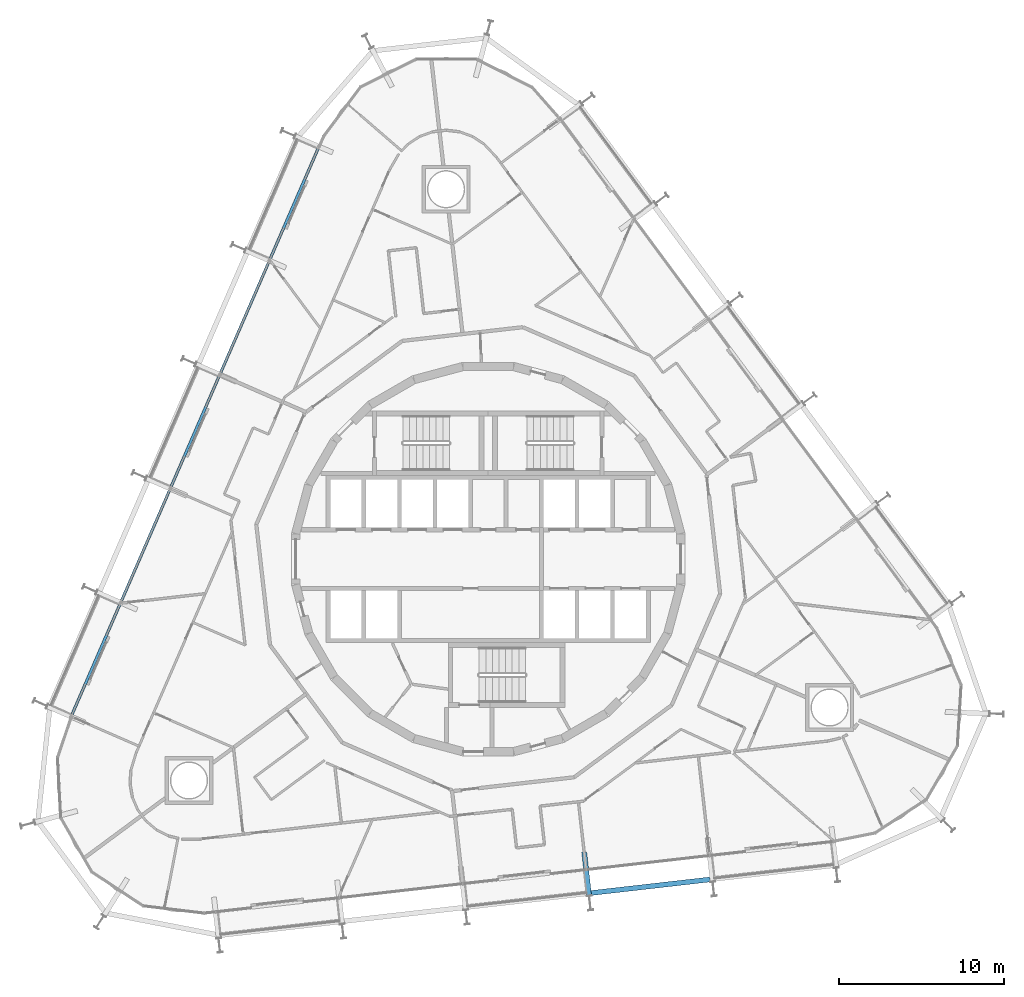
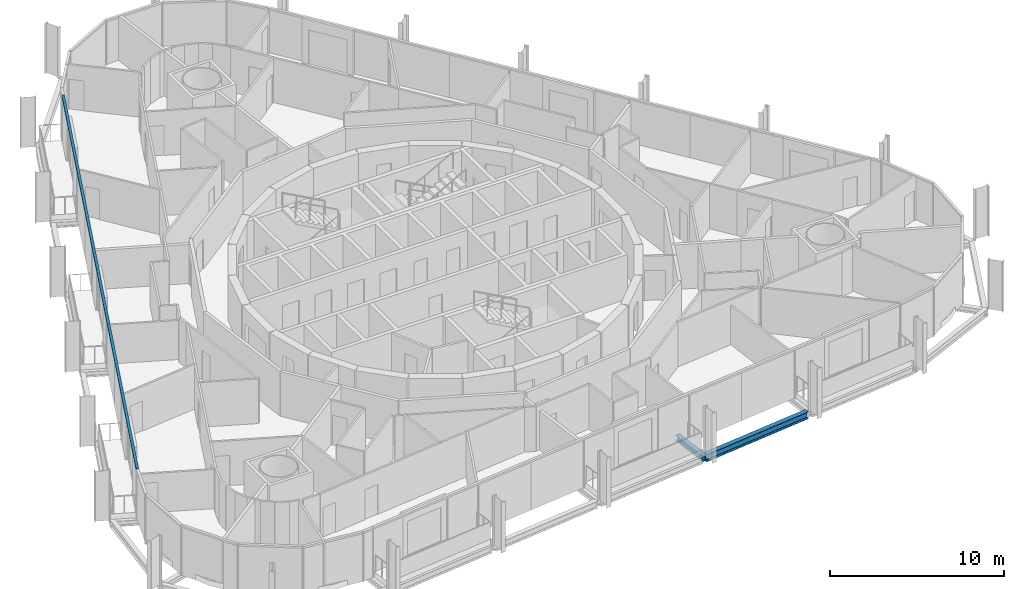
# One storey, part 6 of 24: 2 beams, 1 member, 1 element without a shape of its own.
"""IFC4 building model written with IfcOpenShell, lengths in metres."""

import ifcopenshell
import ifcopenshell.guid

model = None  # the IFC model being written
_history = None  # IfcOwnerHistory: only IFC2X3 demands one
_inside = {}  # id of a spatial element -> (the spatial element, [elements in it])
_under = {}  # id of a project, library or spatial element -> (it, [spatial elements below it])
_declared = {}  # id of a project -> (the project, [libraries it declares])
_typed = {}  # id of a type object -> (the type object, [elements of that type])
_made_of = {}  # id of a material, layer set ... -> (it, [elements and type objects made of it])


def new_model(schema):
    """Start an empty IFC model of exactly this schema.

    Asked for "IFC4X3", IfcOpenShell would pick the latest addendum, in which some entities
    have other attributes; the version numbers below select the first issue.
    IFC2X3 requires an IfcOwnerHistory on every rooted entity: one is made here for all.
    """
    global model, _history
    if schema == "IFC4X3":
        model = ifcopenshell.file(schema_version=(4, 3, 0, 0))
    else:
        model = ifcopenshell.file(schema=schema)
    _inside.clear()
    _under.clear()
    _declared.clear()
    _typed.clear()
    _made_of.clear()
    _history = None
    if model.schema == "IFC2X3":
        org = make("IfcOrganization", Name="unknown")
        user = make(
            "IfcPersonAndOrganization",
            ThePerson=make("IfcPerson", FamilyName="unknown"),
            TheOrganization=org,
        )
        app = make(
            "IfcApplication",
            ApplicationDeveloper=org,
            Version="unknown",
            ApplicationFullName="unknown",
            ApplicationIdentifier="unknown",
        )
        _history = make(
            "IfcOwnerHistory",
            OwningUser=user,
            OwningApplication=app,
            ChangeAction="ADDED",
            CreationDate=0,
        )
    return model


def make(cls, **values):
    """One entity of the class cls with the attributes given. An attribute that is None is left unset."""
    return model.create_entity(
        cls, **{name: value for name, value in values.items() if value is not None}
    )


def rooted(cls, **values):
    """An entity with a GlobalId (a new one), such as an element, a storey or a relation."""
    return make(cls, GlobalId=ifcopenshell.guid.new(), OwnerHistory=_history, **values)


def si_unit(unit_type, name, prefix=None):
    """IfcSIUnit, for example si_unit("LENGTHUNIT", "METRE", prefix="MILLI")."""
    return make("IfcSIUnit", UnitType=unit_type, Prefix=prefix, Name=name)


def assignment(units):
    """IfcUnitAssignment: the units of a project."""
    return None if units is None else make("IfcUnitAssignment", Units=units)


def point(xyz):
    """IfcCartesianPoint."""
    return None if xyz is None else make("IfcCartesianPoint", Coordinates=xyz)


def direction(xyz):
    """IfcDirection."""
    return None if xyz is None else make("IfcDirection", DirectionRatios=xyz)


def frame(location, z_axis=None, x_axis=None):
    """IfcAxis2Placement3D, a coordinate frame: its origin and axes. An axis left out is left unset."""
    return make(
        "IfcAxis2Placement3D",
        Location=point(location),
        Axis=direction(z_axis),
        RefDirection=direction(x_axis),
    )


def frame_2d(location, x_axis=None):
    """IfcAxis2Placement2D, a coordinate frame in the plane: its origin and x axis."""
    return make(
        "IfcAxis2Placement2D", Location=point(location), RefDirection=direction(x_axis)
    )


def origin():
    """The frame at (0, 0, 0) with its axes left unset."""
    return frame((0.0, 0.0, 0.0))


def origin_2d():
    """The frame at (0, 0) in the plane with its x axis left unset."""
    return frame_2d((0.0, 0.0))


def place(relative_to, where):
    """IfcLocalPlacement: puts the frame where relative to a parent placement (None: the world)."""
    return make(
        "IfcLocalPlacement", PlacementRelTo=relative_to, RelativePlacement=where
    )


def context(
    kind, dimensions, precision=None, world=None, true_north=None, identifier=None
):
    """IfcGeometricRepresentationContext, for example the 3D "Model" context."""
    return make(
        "IfcGeometricRepresentationContext",
        ContextIdentifier=identifier,
        ContextType=kind,
        CoordinateSpaceDimension=dimensions,
        Precision=precision,
        WorldCoordinateSystem=world,
        TrueNorth=true_north,
    )


def subcontext(parent, identifier, kind, view, scale=None):
    """IfcGeometricRepresentationSubContext, for example "Body" below "Model"."""
    return make(
        "IfcGeometricRepresentationSubContext",
        ContextIdentifier=identifier,
        ContextType=kind,
        ParentContext=parent,
        TargetScale=scale,
        TargetView=view,
    )


def project(units=None, contexts=None):
    """IfcProject with its units and contexts."""
    return rooted(
        "IfcProject",
        Name="project",
        RepresentationContexts=contexts,
        UnitsInContext=assignment(units),
    )


def spatial(cls, under=None, at=None, **own):
    """A site, building, storey or space (cls), placed at a placement, below another one or the project."""
    s = rooted(cls, ObjectPlacement=at, **own)
    if under is not None:
        _under.setdefault(under.id(), (under, []))[1].append(s)
    return s


def profile(cls, at=None, kind="AREA", **sizes):
    """A parametric profile (cls). Its sizes go by their IFC names, for example OverallWidth=200.0."""
    return make(cls, ProfileType=kind, Position=at, **sizes)


def rectangle(**sizes):
    """IfcRectangleProfileDef."""
    return profile("IfcRectangleProfileDef", **sizes)


def i_section(**sizes):
    """IfcIShapeProfileDef."""
    return profile("IfcIShapeProfileDef", **sizes)


def extrude(swept, where, along, depth):
    """IfcExtrudedAreaSolid: the profile swept, set in the frame where, extruded along a direction by depth."""
    return make(
        "IfcExtrudedAreaSolid",
        SweptArea=swept,
        Position=where,
        ExtrudedDirection=direction(along),
        Depth=depth,
    )


def shape(context_of_items, identifier, shape_type, items):
    """IfcShapeRepresentation: the items that make up one representation, for example the "Body"."""
    return make(
        "IfcShapeRepresentation",
        ContextOfItems=context_of_items,
        RepresentationIdentifier=identifier,
        RepresentationType=shape_type,
        Items=items,
    )


def material(Name=None, Category=None):
    """IfcMaterial."""
    return make("IfcMaterial", Name=Name, Category=Category)


def layer(
    of_material, thickness, ventilated=None, Name=None, Category=None, Priority=None
):
    """IfcMaterialLayer: one layer of a wall or slab, of a material (None: an air gap)."""
    return make(
        "IfcMaterialLayer",
        Material=of_material,
        LayerThickness=thickness,
        IsVentilated=ventilated,
        Name=Name,
        Category=Category,
        Priority=Priority,
    )


def layer_set(layers, Name=None):
    """IfcMaterialLayerSet."""
    return make("IfcMaterialLayerSet", MaterialLayers=layers, LayerSetName=Name)


def material_profile(
    of_material, cross_section, Name=None, Category=None, Priority=None
):
    """IfcMaterialProfile: a cross section and its material."""
    return make(
        "IfcMaterialProfile",
        Name=Name,
        Material=of_material,
        Profile=cross_section,
        Priority=Priority,
        Category=Category,
    )


def profile_set(profiles, Name=None, composite=None):
    """IfcMaterialProfileSet."""
    return make(
        "IfcMaterialProfileSet",
        Name=Name,
        MaterialProfiles=profiles,
        CompositeProfile=composite,
    )


def made_of(thing, what):
    """Note that an element or type object is made of a material, layer set ...; save() writes the relation."""
    if what is not None:
        _made_of.setdefault(what.id(), (what, []))[1].append(thing)
    return thing


def type_object(cls, material=None, **own):
    """A type object (cls), such as IfcWallType, which elements share."""
    return made_of(rooted(cls, **own), material)


def element(
    cls,
    number,
    at=None,
    inside=None,
    cuts=None,
    type_object=None,
    material=None,
    context=None,
    identifier="Body",
    shape_type=None,
    held_by="IfcProductDefinitionShape",
    body=None,
    shapes=None,
    **own,
):
    """One element of the class cls, such as IfcWall. Its Tag is "e" and its number.

    at: its placement. inside: the storey or other place that contains it. cuts: it is an
    opening in that element (IfcRelVoidsElement). A single representation is given by context,
    identifier, shape_type and body (its items); several are given by shapes. held_by: the class
    of the entity that holds the representations. save() writes the other relations.
    """
    e = rooted(cls, Tag="e%d" % number, ObjectPlacement=at, **own)
    if body is not None:
        shapes = [shape(context, identifier, shape_type, body)]
    if shapes is not None:
        e.Representation = make(held_by, Representations=shapes)
    if inside is not None:
        _inside.setdefault(inside.id(), (inside, []))[1].append(e)
    if cuts is not None:
        rooted(
            "IfcRelVoidsElement", RelatingBuildingElement=cuts, RelatedOpeningElement=e
        )
    if type_object is not None:
        _typed.setdefault(type_object.id(), (type_object, []))[1].append(e)
    return made_of(e, material)


def aggregate(whole, parts):
    """IfcRelAggregates: a whole, such as a stair, and the parts it consists of."""
    return rooted("IfcRelAggregates", RelatingObject=whole, RelatedObjects=parts)


def save(model, path):
    """Write the relations noted so far, then the file.

    IfcRelAggregates (storeys below a building ...), IfcRelContainedInSpatialStructure (elements
    in a storey), IfcRelDefinesByType, IfcRelAssociatesMaterial and IfcRelDeclares: one each for
    every whole, place, type object, material and project.
    """
    for whole, parts in _under.values():
        aggregate(whole, parts)
    for where, things in _inside.values():
        rooted(
            "IfcRelContainedInSpatialStructure",
            RelatedElements=things,
            RelatingStructure=where,
        )
    for kind, things in _typed.values():
        rooted("IfcRelDefinesByType", RelatedObjects=things, RelatingType=kind)
    for what, things in _made_of.values():
        rooted("IfcRelAssociatesMaterial", RelatedObjects=things, RelatingMaterial=what)
    for by, libraries in _declared.values():
        rooted("IfcRelDeclares", RelatingContext=by, RelatedDefinitions=libraries)
    model.write(path)


model = new_model("IFC4")

# Units and contexts
model_context = context("Model", 3, precision=1e-05, world=origin(), true_north=direction((0.0, 1.0)))
body_context = subcontext(model_context, "Body", "Model", "MODEL_VIEW")
ifc_project = project(units=[si_unit("LENGTHUNIT", "METRE"), si_unit("AREAUNIT", "SQUARE_METRE"), si_unit("VOLUMEUNIT", "CUBIC_METRE"), si_unit("PLANEANGLEUNIT", "RADIAN"), si_unit("MASSUNIT", "GRAM", prefix="KILO")], contexts=[model_context])

# Site, building, storey
site_placement = place(None, origin())
site = spatial("IfcSite", under=ifc_project, at=site_placement, CompositionType="ELEMENT")
building_placement = place(site_placement, origin())
building = spatial("IfcBuilding", under=site, at=building_placement, Name="Spindle Arch Residences", CompositionType="ELEMENT")
storey_placement = place(building_placement, frame((0.0, 0.0, 87.199951171875)))
storey = spatial("IfcBuildingStorey", under=building, at=storey_placement, Name="L20", CompositionType="ELEMENT", Elevation=87.199951171875)

# Curtain wall, member
ifc_material_1 = material(Name="Aluminium bronze unitised frame with tinted glass", Category="aluminium")
ifc_layer = layer(ifc_material_1, 0.159912109375)
ifc_layer_set = layer_set([ifc_layer], Name="CW-C typical residential unitised wall")
curtain_wall_type = type_object("IfcCurtainWallType", Name="CW-C typical residential unitised wall", PredefinedType="NOTDEFINED", material=ifc_layer_set)
curtain_wall_placement = place(storey_placement, origin())
curtain_wall = element("IfcCurtainWall", 1, at=curtain_wall_placement, inside=storey, type_object=curtain_wall_type, Name="CW-C L20 run 4", PredefinedType="NOTDEFINED")
ifc_material_2 = material(Name="Aluminium bronze anodised transom", Category="aluminium")
ifc_material_profile_1 = material_profile(ifc_material_2, rectangle(XDim=0.159912109375, YDim=0.1201171875, at=origin_2d()), Name="TR 120x160")
ifc_profile_set_1 = profile_set([ifc_material_profile_1], Name="Aluminium bronze anodised transom")
member_type = type_object("IfcMemberType", Name="Bronze transom 120x160", PredefinedType="USERDEFINED", material=ifc_profile_set_1)
member_placement = place(storey_placement, frame((-10.250244140625, 24.92138671875, 3.06005859375), z_axis=(-0.398750371211, -0.917059508134, 0.0), x_axis=(0.917059508134, -0.398750371211, 0.0)))
member = element("IfcMember", 2, at=member_placement, type_object=member_type, Name="CW-C transom 00", ObjectType="TRANSOM", PredefinedType="USERDEFINED", context=body_context, shape_type="SweptSolid", body=[
    extrude(rectangle(XDim=0.159912109375, YDim=0.1201171875, at=origin_2d()), origin(), (0.0, 0.0, 1.0), 37.5341796875),
])
aggregate(curtain_wall, [member])

# Beams
ifc_material_3 = material(Name="Steel S460ML, intumescent coating R 120", Category="steel")
ifc_material_profile_2 = material_profile(ifc_material_3, i_section(OverallWidth=0.300048828125, OverallDepth=0.5, WebThickness=0.014404296875, FlangeThickness=0.028076171875, FilletRadius=0.027099609375, at=origin_2d()), Name="HEB 500")
ifc_profile_set_2 = profile_set([ifc_material_profile_2], Name="Steel S460ML, intumescent coating R 120")
beam_type_1 = type_object("IfcBeamType", Name="Exoskeleton edge beam HEB 500", PredefinedType="BEAM", material=ifc_profile_set_2)
beam_1_placement = place(storey_placement, frame((6.2158203125, -20.19677734375, -0.6298828125), z_axis=(0.993570992395, 0.11321079044, 0.0), x_axis=(-0.11321079044, 0.993570992395, 0.0)))
element("IfcBeam", 3, at=beam_1_placement, inside=storey, type_object=beam_type_1, Name="Exoskeleton edge beam 1", PredefinedType="BEAM", context=body_context, shape_type="SweptSolid", body=[
    extrude(i_section(OverallWidth=0.300048828125, OverallDepth=0.5, WebThickness=0.014404296875, FlangeThickness=0.028076171875, FilletRadius=0.027099609375, at=origin_2d()), origin(), (0.0, 0.0, 1.0), 7.2587890625),
])
ifc_material_4 = material(Name="Steel S460ML, intumescent coating R 120", Category="steel")
ifc_material_profile_3 = material_profile(ifc_material_4, i_section(OverallWidth=0.300048828125, OverallDepth=0.389892578125, WebThickness=0.010986328125, FlangeThickness=0.01904296875, FilletRadius=0.027099609375, at=origin_2d()), Name="HEA 400")
ifc_profile_set_3 = profile_set([ifc_material_profile_3], Name="Steel S460ML, intumescent coating R 120")
beam_type_2 = type_object("IfcBeamType", Name="Floor outrigger HEA 400", PredefinedType="BEAM", material=ifc_profile_set_3)
beam_2_placement = place(storey_placement, frame((6.10205078125, -20.34765625, -0.574951171875), z_axis=(-0.113221808681, 0.993569736878, 0.0), x_axis=(-0.993569736878, -0.113221808681, 0.0)))
element("IfcBeam", 4, at=beam_2_placement, inside=storey, type_object=beam_type_2, Name="Floor outrigger 1", PredefinedType="BEAM", context=body_context, shape_type="SweptSolid", body=[
    extrude(i_section(OverallWidth=0.300048828125, OverallDepth=0.389892578125, WebThickness=0.010986328125, FlangeThickness=0.01904296875, FilletRadius=0.027099609375, at=origin_2d()), origin(), (0.0, 0.0, 1.0), 2.650146484375),
])

save(model, "model.ifc")
